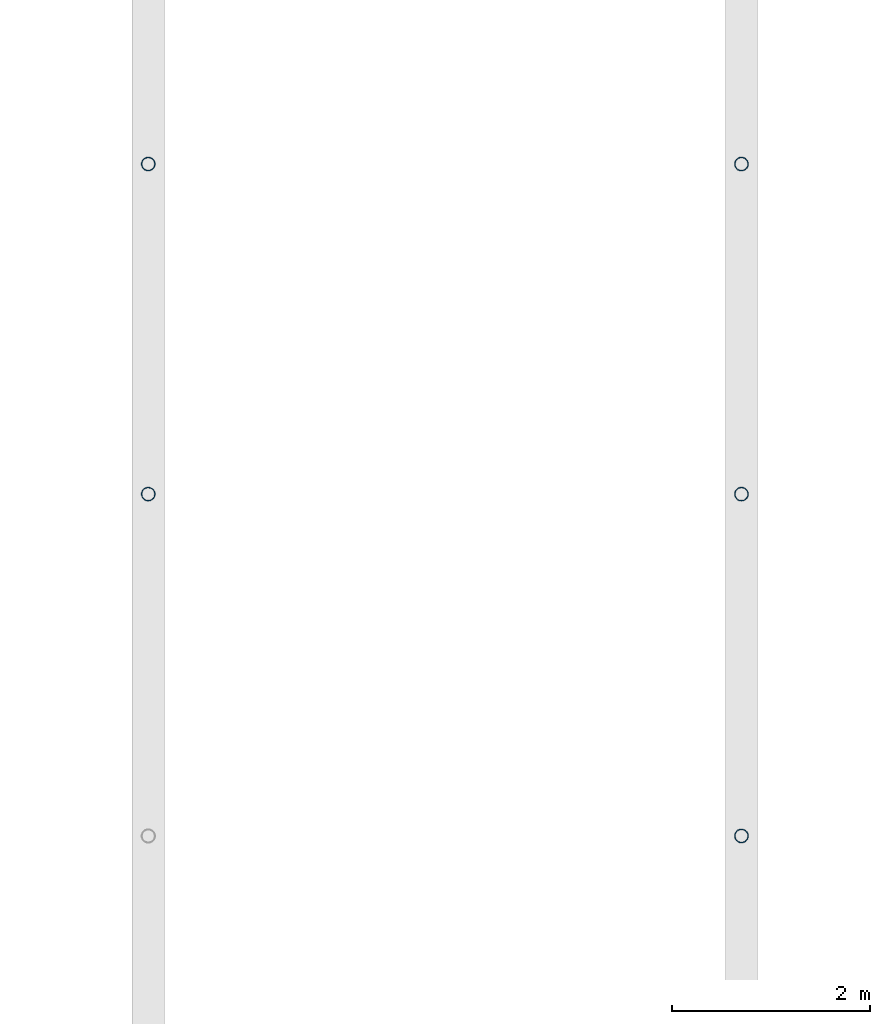
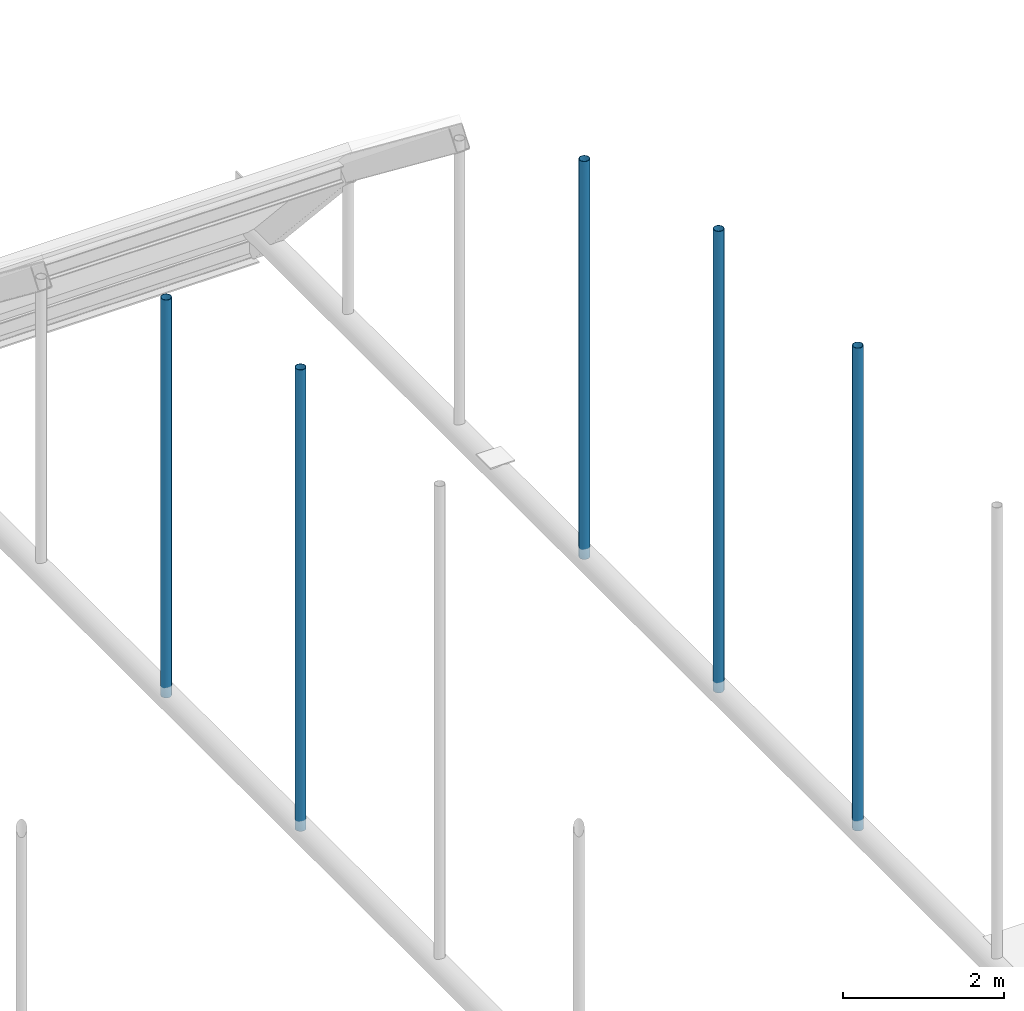
# One storey, part 56 of 116: 5 members.
"""IFC4 building model written with IfcOpenShell, lengths in metres."""

from ifc_helpers import new_model, si_unit, direction, frame, origin, origin_2d, place, context, subcontext, project, spatial, hollow_circle, extrude, material, material_profile, profile_set, type_object, element, save


model = new_model("IFC4")

# Units and contexts
model_context = context("Model", 3, precision=1e-05, world=origin(), true_north=direction((0.0, 1.0)))
body_context = subcontext(model_context, "Body", "Model", "MODEL_VIEW")
ifc_project = project(units=[si_unit("LENGTHUNIT", "METRE"), si_unit("AREAUNIT", "SQUARE_METRE"), si_unit("VOLUMEUNIT", "CUBIC_METRE"), si_unit("PLANEANGLEUNIT", "RADIAN"), si_unit("MASSUNIT", "GRAM", prefix="KILO")], contexts=[model_context])

# Site, building, storey
site_placement = place(None, origin())
site = spatial("IfcSite", under=ifc_project, at=site_placement, CompositionType="ELEMENT")
building_placement = place(site_placement, origin())
building = spatial("IfcBuilding", under=site, at=building_placement, Name="Varnakota Square Police Headquarters", CompositionType="ELEMENT")
storey_placement = place(building_placement, frame((0.0, 0.0, 9.300048828125)))
storey = spatial("IfcBuildingStorey", under=building, at=storey_placement, Name="L02", CompositionType="ELEMENT", Elevation=9.300048828125)

# Members
ifc_material = material(Name="Steel IS 2062 Grade 350", Category="steel")
ifc_material_profile = material_profile(ifc_material, hollow_circle(Radius=0.06982421875, WallThickness=0.006103515625, at=origin_2d()), Name="CHS 139.7x6.0")
ifc_profile_set = profile_set([ifc_material_profile], Name="Steel IS 2062 Grade 350")
member_type = type_object("IfcMemberType", Name="MEM-HNG-CHS139", PredefinedType="STRUT", material=ifc_profile_set)
member_1_placement = place(storey_placement, frame((90.0, 27.45751953125, -0.150146484375), z_axis=(0.0, 0.0, 1.0), x_axis=(1.0, 0.0, 0.0)))
element("IfcMember", 1, at=member_1_placement, inside=storey, type_object=member_type, Name="Barrel vault hanger strut V1-R07-N6", PredefinedType="STRUT", context=body_context, shape_type="SweptSolid", body=[
    extrude(hollow_circle(Radius=0.06982421875, WallThickness=0.006103515625, at=origin_2d()), origin(), (0.0, 0.0, 1.0), 7.0),
])
member_2_placement = place(storey_placement, frame((90.0, 30.79638671875, -0.150146484375), z_axis=(0.0, 0.0, 1.0), x_axis=(1.0, 0.0, 0.0)))
element("IfcMember", 2, at=member_2_placement, inside=storey, type_object=member_type, Name="Barrel vault hanger strut V1-R07-N7", PredefinedType="STRUT", context=body_context, shape_type="SweptSolid", body=[
    extrude(hollow_circle(Radius=0.06982421875, WallThickness=0.006103515625, at=origin_2d()), origin(), (0.0, 0.0, 1.0), 6.035400390625),
])
member_3_placement = place(storey_placement, frame((96.0, 24.0, -0.150146484375), z_axis=(0.0, 0.0, 1.0), x_axis=(1.0, 0.0, 0.0)))
element("IfcMember", 3, at=member_3_placement, inside=storey, type_object=member_type, Name="Barrel vault hanger strut V1-R08-N5", PredefinedType="STRUT", context=body_context, shape_type="SweptSolid", body=[
    extrude(hollow_circle(Radius=0.06982421875, WallThickness=0.006103515625, at=origin_2d()), origin(), (0.0, 0.0, 1.0), 7.326416015625),
])
member_4_placement = place(storey_placement, frame((96.0, 27.45751953125, -0.150146484375), z_axis=(0.0, 0.0, 1.0), x_axis=(1.0, 0.0, 0.0)))
element("IfcMember", 4, at=member_4_placement, inside=storey, type_object=member_type, Name="Barrel vault hanger strut V1-R08-N6", PredefinedType="STRUT", context=body_context, shape_type="SweptSolid", body=[
    extrude(hollow_circle(Radius=0.06982421875, WallThickness=0.006103515625, at=origin_2d()), origin(), (0.0, 0.0, 1.0), 7.0),
])
member_5_placement = place(storey_placement, frame((96.0, 30.79638671875, -0.150146484375), z_axis=(0.0, 0.0, 1.0), x_axis=(1.0, 0.0, 0.0)))
element("IfcMember", 5, at=member_5_placement, inside=storey, type_object=member_type, Name="Barrel vault hanger strut V1-R08-N7", PredefinedType="STRUT", context=body_context, shape_type="SweptSolid", body=[
    extrude(hollow_circle(Radius=0.06982421875, WallThickness=0.006103515625, at=origin_2d()), origin(), (0.0, 0.0, 1.0), 6.035400390625),
])

save(model, "model.ifc")
